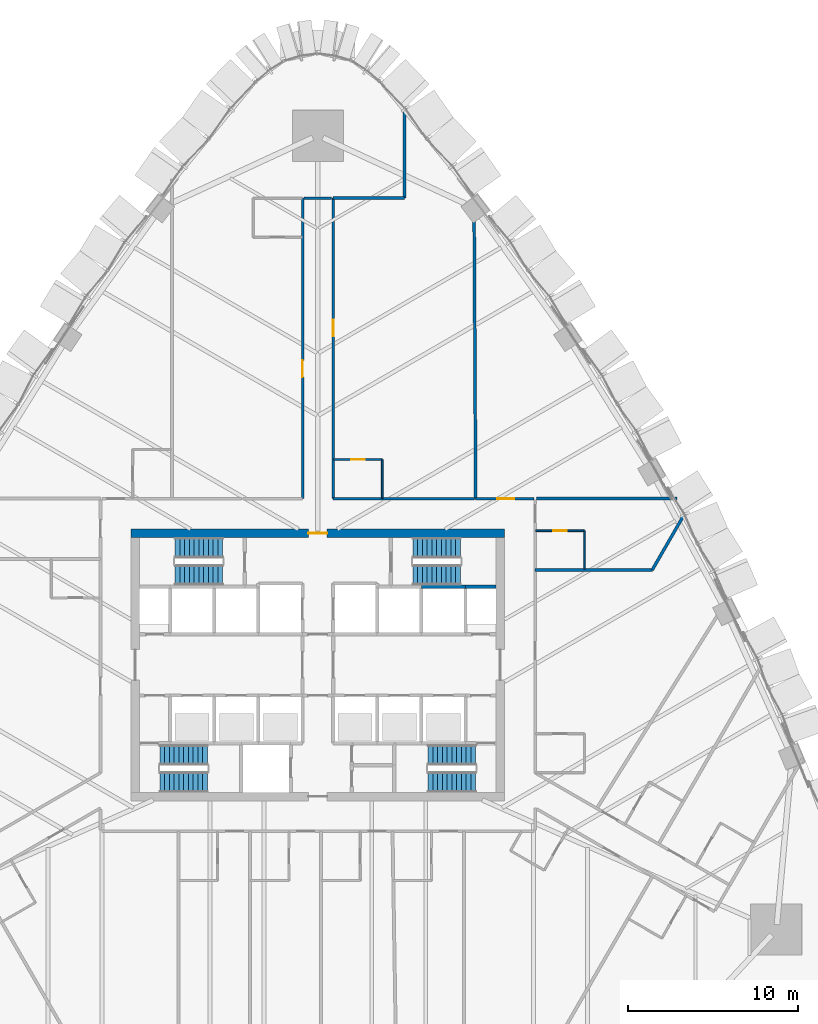
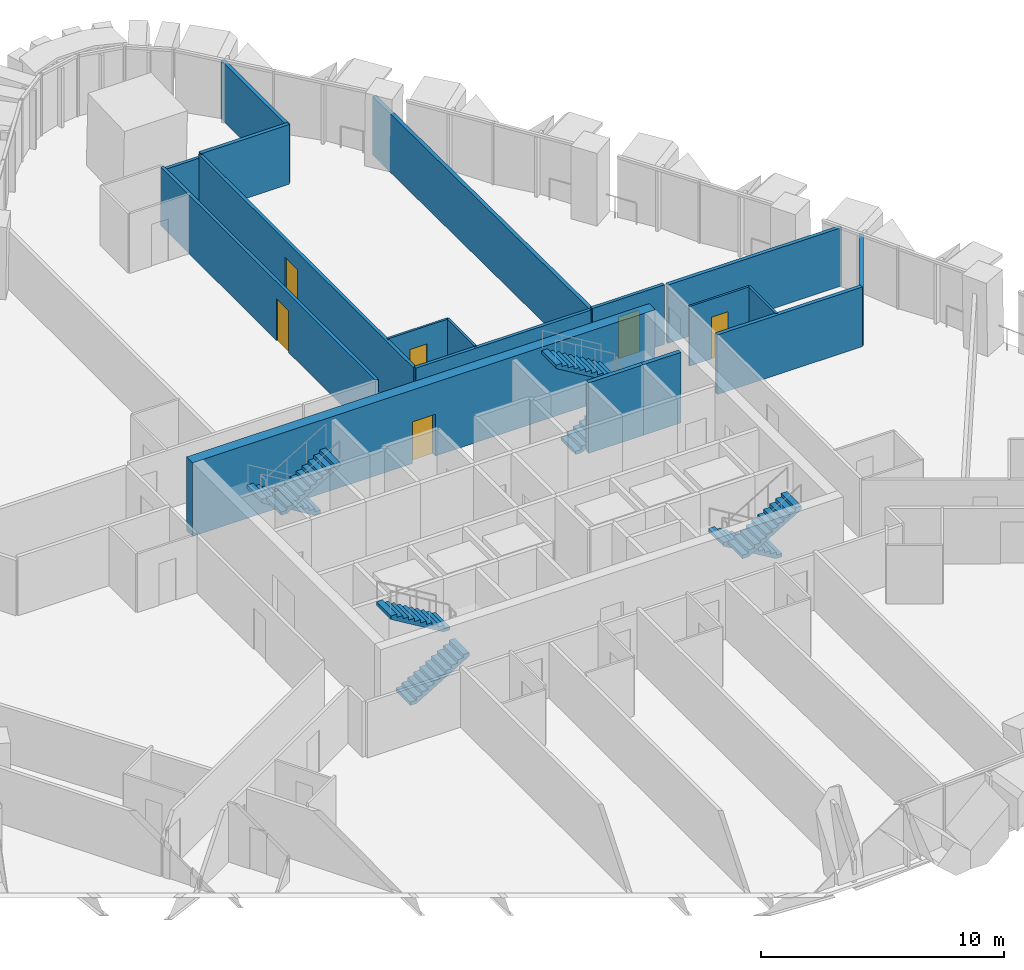
# One storey, part 19 of 24: 18 walls, 8 stair flights, 6 doors, 6 openings, 4 elements without a shape of their own.
"""IFC4 building model written with IfcOpenShell, lengths in metres."""

from ifc_helpers import new_model, si_unit, direction, frame, frame_2d, origin, place, context, subcontext, project, spatial, polyline, rectangle, outline, extrude, material, layer, layer_set, type_object, element, fill, aggregate, save


model = new_model("IFC4")

# Units and contexts
model_context = context("Model", 3, precision=1e-05, world=origin(), true_north=direction((0.0, 1.0)))
body_context = subcontext(model_context, "Body", "Model", "MODEL_VIEW")
ifc_project = project(units=[si_unit("LENGTHUNIT", "METRE"), si_unit("AREAUNIT", "SQUARE_METRE"), si_unit("VOLUMEUNIT", "CUBIC_METRE"), si_unit("PLANEANGLEUNIT", "RADIAN"), si_unit("MASSUNIT", "GRAM", prefix="KILO")], contexts=[model_context])

# Site, building, storey
site_placement = place(None, origin())
site = spatial("IfcSite", under=ifc_project, at=site_placement, CompositionType="ELEMENT")
building_placement = place(site_placement, origin())
building = spatial("IfcBuilding", under=site, at=building_placement, Name="Sierra Prisma Convention Tower", CompositionType="ELEMENT")
storey_placement = place(building_placement, frame((0.0, 0.0, 55.39990234375)))
storey = spatial("IfcBuildingStorey", under=building, at=storey_placement, Name="L09", CompositionType="ELEMENT", Elevation=55.39990234375)

# Wall, opening, door
ifc_material_1 = material(Name="Gypsum board partition", Category="gypsum")
ifc_layer_1 = layer(ifc_material_1, 0.10009765625)
ifc_layer_set_1 = layer_set([ifc_layer_1], Name="Bathroom partition 100")
wall_type_1 = type_object("IfcWallType", Name="Bathroom partition 100", PredefinedType="PARTITIONING", material=ifc_layer_set_1)
wall_1_placement = place(storey_placement, frame((0.929931640625, 12.10009765625, 0.0), z_axis=(0.0, 0.0, 1.0), x_axis=(1.0, 0.0, 0.0)))
wall_1 = element("IfcWall", 1, at=wall_1_placement, inside=storey, type_object=wall_type_1, Name="Partition L09 bath 21", PredefinedType="PARTITIONING", context=body_context, shape_type="SweptSolid", body=[
    extrude(rectangle(XDim=2.8701171875, YDim=0.10009765625, at=frame_2d((1.43505859375, 0.0))), origin(), (0.0, 0.0, 1.0), 3.0),
])
opening_1_placement = place(wall_1_placement, frame((1.034912109375, 0.0, 0.0)))
opening_1 = element("IfcOpeningElement", 2, at=opening_1_placement, cuts=wall_1, Name="Opening L09-D003", PredefinedType="OPENING", context=body_context, shape_type="SweptSolid", body=[
    extrude(rectangle(XDim=0.800048828125, YDim=2.10009765625, at=frame_2d((0.39990234375, 1.050048828125))), frame((0.0, 0.050048828125, 0.0), z_axis=(0.0, -1.0, 0.0), x_axis=(1.0, 0.0, 0.0)), (0.0, 0.0, 1.0), 0.10009765625),
])
ifc_material_2 = material(Name="Solid core timber door leaf", Category="wood")
door_type_1 = type_object("IfcDoorType", Name="Door 800x2100 plain", OperationType="SINGLE_SWING_LEFT", PredefinedType="DOOR", material=ifc_material_2)
door_1_placement = place(opening_1_placement, origin())
door_1 = element("IfcDoor", 3, at=door_1_placement, inside=storey, type_object=door_type_1, Name="Door L09 7", OperationType="SINGLE_SWING_LEFT", OverallHeight=2.10009765625, OverallWidth=0.800048828125, PredefinedType="DOOR", context=body_context, shape_type="SweptSolid", body=[
    extrude(rectangle(XDim=0.800048828125, YDim=2.10009765625, at=frame_2d((0.39990234375, 1.050048828125))), frame((0.0, 0.02490234375, 0.0), z_axis=(0.0, -1.0, 0.0), x_axis=(1.0, 0.0, 0.0)), (0.0, 0.0, 1.0), 0.050048828125),
])
fill(opening_1, door_1)

# Wall
wall_2_placement = place(storey_placement, frame((3.800048828125, 12.10009765625, 0.0), z_axis=(0.0, 0.0, 1.0), x_axis=(0.0, -1.0, 0.0)))
element("IfcWall", 4, at=wall_2_placement, inside=storey, type_object=wall_type_1, Name="Partition L09 bath 22", PredefinedType="PARTITIONING", context=body_context, shape_type="SweptSolid", body=[
    extrude(rectangle(XDim=2.27001953125, YDim=0.10009765625, at=frame_2d((1.135009765625, 0.0))), origin(), (0.0, 0.0, 1.0), 3.0),
])

# Wall, opening, door
wall_3_placement = place(storey_placement, frame((12.830078125, 7.89990234375, 0.0), z_axis=(0.0, 0.0, 1.0), x_axis=(1.0, 0.0, 0.0)))
wall_3 = element("IfcWall", 5, at=wall_3_placement, inside=storey, type_object=wall_type_1, Name="Partition L09 bath 31", PredefinedType="PARTITIONING", context=body_context, shape_type="SweptSolid", body=[
    extrude(rectangle(XDim=2.869873046875, YDim=0.10009765625, at=frame_2d((1.43505859375, 0.0))), origin(), (0.0, 0.0, 1.0), 3.0),
])
opening_2_placement = place(wall_3_placement, frame((1.034912109375, 0.0, 0.0)))
opening_2 = element("IfcOpeningElement", 6, at=opening_2_placement, cuts=wall_3, Name="Opening L09-D002", PredefinedType="OPENING", context=body_context, shape_type="SweptSolid", body=[
    extrude(rectangle(XDim=0.800048828125, YDim=2.10009765625, at=frame_2d((0.39990234375, 1.050048828125))), frame((0.0, 0.050048828125, 0.0), z_axis=(0.0, -1.0, 0.0), x_axis=(1.0, 0.0, 0.0)), (0.0, 0.0, 1.0), 0.10009765625),
])
door_2_placement = place(opening_2_placement, origin())
door_2 = element("IfcDoor", 7, at=door_2_placement, inside=storey, type_object=door_type_1, Name="Door L09 4", OperationType="SINGLE_SWING_LEFT", OverallHeight=2.10009765625, OverallWidth=0.800048828125, PredefinedType="DOOR", context=body_context, shape_type="SweptSolid", body=[
    extrude(rectangle(XDim=0.800048828125, YDim=2.10009765625, at=frame_2d((0.39990234375, 1.050048828125))), frame((0.0, 0.02490234375, 0.0), z_axis=(0.0, -1.0, 0.0), x_axis=(1.0, 0.0, 0.0)), (0.0, 0.0, 1.0), 0.050048828125),
])
fill(opening_2, door_2)

# Walls
wall_4_placement = place(storey_placement, frame((15.699951171875, 7.89990234375, 0.0), z_axis=(0.0, 0.0, 1.0), x_axis=(0.0, -1.0, 0.0)))
element("IfcWall", 8, at=wall_4_placement, inside=storey, type_object=wall_type_1, Name="Partition L09 bath 32", PredefinedType="PARTITIONING", context=body_context, shape_type="SweptSolid", body=[
    extrude(rectangle(XDim=2.27001953125, YDim=0.10009765625, at=frame_2d((1.135009765625, 0.0))), origin(), (0.0, 0.0, 1.0), 3.0),
])
ifc_material_3 = material(Name="Concrete C30/37", Category="concrete")
ifc_layer_2 = layer(ifc_material_3, 0.199951171875)
ifc_layer_set_2 = layer_set([ifc_layer_2], Name="Core wall RC 200 C30/37")
wall_type_2 = type_object("IfcWallType", Name="Core wall RC 200 C30/37", PredefinedType="SOLIDWALL", material=ifc_layer_set_2)
wall_5_placement = place(storey_placement, frame((8.699951171875, 4.60009765625, 0.0), z_axis=(0.0, 0.0, 1.0), x_axis=(-1.0, 0.0, 0.0)))
element("IfcWall", 9, at=wall_5_placement, inside=storey, type_object=wall_type_2, Name="Core wall L09 63", PredefinedType="SOLIDWALL", context=body_context, shape_type="SweptSolid", body=[
    extrude(rectangle(XDim=2.599853515625, YDim=0.199951171875, at=frame_2d((1.2998046875, 0.0))), origin(), (0.0, 0.0, 1.0), 3.550048828125),
])
wall_6_placement = place(storey_placement, frame((10.5, 4.60009765625, 0.0), z_axis=(0.0, 0.0, 1.0), x_axis=(-1.0, 0.0, 0.0)))
element("IfcWall", 10, at=wall_6_placement, inside=storey, type_object=wall_type_2, Name="Core wall L09 69", PredefinedType="SOLIDWALL", context=body_context, shape_type="SweptSolid", body=[
    extrude(rectangle(XDim=1.800048828125, YDim=0.199951171875, at=frame_2d((0.89990234375, 0.0))), origin(), (0.0, 0.0, 1.0), 3.550048828125),
])

# Wall, opening, door
ifc_material_4 = material(Name="Concrete C60/75", Category="concrete")
ifc_layer_3 = layer(ifc_material_4, 0.5)
ifc_layer_set_3 = layer_set([ifc_layer_3], Name="Core wall RC 500 C60/75")
wall_type_3 = type_object("IfcWallType", Name="Core wall RC 500 C60/75", PredefinedType="SHEAR", material=ifc_layer_set_3)
wall_7_placement = place(storey_placement, frame((-11.0, 7.75, 0.0), z_axis=(0.0, 0.0, 1.0), x_axis=(1.0, 0.0, 0.0)))
wall_7 = element("IfcWall", 11, at=wall_7_placement, inside=storey, type_object=wall_type_3, Name="Core wall N L09", PredefinedType="SHEAR", context=body_context, shape_type="SweptSolid", body=[
    extrude(rectangle(XDim=22.0, YDim=0.5, at=frame_2d((11.0, 0.0))), origin(), (0.0, 0.0, 1.0), 3.7001953125),
])
opening_3_placement = place(wall_7_placement, frame((10.449951171875, 0.0, 0.0)))
opening_3 = element("IfcOpeningElement", 12, at=opening_3_placement, cuts=wall_7, Name="Opening L09-D062", PredefinedType="OPENING", context=body_context, shape_type="SweptSolid", body=[
    extrude(rectangle(XDim=1.10009765625, YDim=2.10009765625, at=frame_2d((0.550048828125, 1.050048828125))), frame((0.0, 0.25, 0.0), z_axis=(0.0, -1.0, 0.0), x_axis=(1.0, 0.0, 0.0)), (0.0, 0.0, 1.0), 0.5),
])
ifc_material_5 = material(Name="Steel fire door leaf", Category="steel")
door_type_2 = type_object("IfcDoorType", Name="Door 1100x2100 FD60S", OperationType="SINGLE_SWING_LEFT", PredefinedType="DOOR", material=ifc_material_5)
door_3_placement = place(opening_3_placement, origin())
door_3 = element("IfcDoor", 13, at=door_3_placement, inside=storey, type_object=door_type_2, Name="Door L09 63", OperationType="SINGLE_SWING_RIGHT", OverallHeight=2.10009765625, OverallWidth=1.10009765625, PredefinedType="DOOR", context=body_context, shape_type="SweptSolid", body=[
    extrude(rectangle(XDim=1.10009765625, YDim=2.10009765625, at=frame_2d((0.550048828125, 1.050048828125))), frame((0.0, 0.02490234375, 0.0), z_axis=(0.0, -1.0, 0.0), x_axis=(1.0, 0.0, 0.0)), (0.0, 0.0, 1.0), 0.050048828125),
])
fill(opening_3, door_3)

ifc_material_6 = material(Name="Gypsum board partition", Category="gypsum")
ifc_layer_4 = layer(ifc_material_6, 0.14990234375)
ifc_layer_set_4 = layer_set([ifc_layer_4], Name="Corridor wall 150 gypsum EI 60")
wall_type_4 = type_object("IfcWallType", Name="Corridor wall 150 gypsum EI 60", PredefinedType="PARTITIONING", material=ifc_layer_set_4)
wall_8_placement = place(storey_placement, frame((-0.89990234375, 27.49462890625, 0.0), z_axis=(0.0, 0.0, 1.0), x_axis=(0.0, -1.0, 0.0)))
wall_8 = element("IfcWall", 14, at=wall_8_placement, inside=storey, type_object=wall_type_4, Name="Partition L09 corr 8", PredefinedType="PARTITIONING", context=body_context, shape_type="SweptSolid", body=[
    extrude(rectangle(XDim=17.694580078125, YDim=0.14990234375, at=frame_2d((8.84716796875, 0.0))), origin(), (0.0, 0.0, 1.0), 2.947021484375),
])
opening_4_placement = place(wall_8_placement, frame((9.54736328125, 0.0, 0.0)))
opening_4 = element("IfcOpeningElement", 15, at=opening_4_placement, cuts=wall_8, Name="Opening L09-D045", PredefinedType="OPENING", context=body_context, shape_type="SweptSolid", body=[
    extrude(rectangle(XDim=1.0, YDim=2.10009765625, at=frame_2d((0.5, 1.050048828125))), frame((0.0, 0.074951171875, 0.0), z_axis=(0.0, -1.0, 0.0), x_axis=(1.0, 0.0, 0.0)), (0.0, 0.0, 1.0), 0.14990234375),
])
ifc_material_7 = material(Name="Steel fire door leaf", Category="steel")
door_type_3 = type_object("IfcDoorType", Name="Door 1000x2100 FD30S", OperationType="SINGLE_SWING_LEFT", PredefinedType="DOOR", material=ifc_material_7)
door_4_placement = place(opening_4_placement, origin())
door_4 = element("IfcDoor", 16, at=door_4_placement, inside=storey, type_object=door_type_3, Name="Door L09 8", OperationType="SINGLE_SWING_LEFT", OverallHeight=2.10009765625, OverallWidth=1.0, PredefinedType="DOOR", context=body_context, shape_type="SweptSolid", body=[
    extrude(rectangle(XDim=1.0, YDim=2.10009765625, at=frame_2d((0.5, 1.050048828125))), frame((0.0, 0.02490234375, 0.0), z_axis=(0.0, -1.0, 0.0), x_axis=(1.0, 0.0, 0.0)), (0.0, 0.0, 1.0), 0.050048828125),
])
fill(opening_4, door_4)

# Walls
wall_9_placement = place(storey_placement, frame((0.820068359375, 27.49462890625, 0.0), z_axis=(0.0, 0.0, 1.0), x_axis=(-1.0, 0.0, 0.0)))
element("IfcWall", 17, at=wall_9_placement, inside=storey, type_object=wall_type_4, Name="Partition L09 corr 10", PredefinedType="PARTITIONING", context=body_context, shape_type="SweptSolid", body=[
    extrude(rectangle(XDim=1.64013671875, YDim=0.14990234375, at=frame_2d((0.820068359375, 0.0))), origin(), (0.0, 0.0, 1.0), 2.797119140625),
])
wall_10_placement = place(storey_placement, frame((9.219970703125, 9.800048828125, 0.0), z_axis=(0.0, 0.0, 1.0), x_axis=(-1.0, 0.0, 0.0)))
element("IfcWall", 18, at=wall_10_placement, inside=storey, type_object=wall_type_4, Name="Partition L09 corr 11", PredefinedType="PARTITIONING", context=body_context, shape_type="SweptSolid", body=[
    extrude(rectangle(XDim=8.320068359375, YDim=0.14990234375, at=frame_2d((4.16015625, 0.0))), origin(), (0.0, 0.0, 1.0), 2.947021484375),
])

# Wall, opening, door
wall_11_placement = place(storey_placement, frame((0.89990234375, 9.800048828125, 0.0), z_axis=(0.0, 0.0, 1.0), x_axis=(0.0, 1.0, 0.0)))
wall_11 = element("IfcWall", 19, at=wall_11_placement, inside=storey, type_object=wall_type_4, Name="Partition L09 corr 12", PredefinedType="PARTITIONING", context=body_context, shape_type="SweptSolid", body=[
    extrude(rectangle(XDim=17.694580078125, YDim=0.14990234375, at=frame_2d((8.84716796875, 0.0))), origin(), (0.0, 0.0, 1.0), 2.947021484375),
])
opening_5_placement = place(wall_11_placement, frame((9.54736328125, 0.0, 0.0)))
opening_5 = element("IfcOpeningElement", 20, at=opening_5_placement, cuts=wall_11, Name="Opening L09-D044", PredefinedType="OPENING", context=body_context, shape_type="SweptSolid", body=[
    extrude(rectangle(XDim=1.0, YDim=2.10009765625, at=frame_2d((0.5, 1.050048828125))), frame((0.0, 0.074951171875, 0.0), z_axis=(0.0, -1.0, 0.0), x_axis=(1.0, 0.0, 0.0)), (0.0, 0.0, 1.0), 0.14990234375),
])
door_5_placement = place(opening_5_placement, origin())
door_5 = element("IfcDoor", 21, at=door_5_placement, inside=storey, type_object=door_type_3, Name="Door L09 6", OperationType="SINGLE_SWING_RIGHT", OverallHeight=2.10009765625, OverallWidth=1.0, PredefinedType="DOOR", context=body_context, shape_type="SweptSolid", body=[
    extrude(rectangle(XDim=1.0, YDim=2.10009765625, at=frame_2d((0.5, 1.050048828125))), frame((0.0, 0.02490234375, 0.0), z_axis=(0.0, -1.0, 0.0), x_axis=(1.0, 0.0, 0.0)), (0.0, 0.0, 1.0), 0.050048828125),
])
fill(opening_5, door_5)

wall_12_placement = place(storey_placement, frame((12.719970703125, 9.800048828125, 0.0), z_axis=(0.0, 0.0, 1.0), x_axis=(-1.0, 0.0, 0.0)))
wall_12 = element("IfcWall", 22, at=wall_12_placement, inside=storey, type_object=wall_type_4, Name="Partition L09 corr 13", PredefinedType="PARTITIONING", context=body_context, shape_type="SweptSolid", body=[
    extrude(rectangle(XDim=3.419921875, YDim=0.14990234375, at=frame_2d((1.7099609375, 0.0))), origin(), (0.0, 0.0, 1.0), 3.0),
])
opening_6_placement = place(wall_12_placement, frame((1.159912109375, 0.0, 0.0)))
opening_6 = element("IfcOpeningElement", 23, at=opening_6_placement, cuts=wall_12, Name="Opening L09-D043", PredefinedType="OPENING", context=body_context, shape_type="SweptSolid", body=[
    extrude(rectangle(XDim=1.0, YDim=2.10009765625, at=frame_2d((0.5, 1.050048828125))), frame((0.0, 0.074951171875, 0.0), z_axis=(0.0, -1.0, 0.0), x_axis=(1.0, 0.0, 0.0)), (0.0, 0.0, 1.0), 0.14990234375),
])
door_6_placement = place(opening_6_placement, origin())
door_6 = element("IfcDoor", 24, at=door_6_placement, inside=storey, type_object=door_type_3, Name="Door L09 5", OperationType="SINGLE_SWING_LEFT", OverallHeight=2.10009765625, OverallWidth=1.0, PredefinedType="DOOR", context=body_context, shape_type="SweptSolid", body=[
    extrude(rectangle(XDim=1.0, YDim=2.10009765625, at=frame_2d((0.5, 1.050048828125))), frame((0.0, 0.02490234375, 0.0), z_axis=(0.0, -1.0, 0.0), x_axis=(1.0, 0.0, 0.0)), (0.0, 0.0, 1.0), 0.050048828125),
])
fill(opening_6, door_6)

# Walls
ifc_material_8 = material(Name="Acoustic gypsum board partition", Category="gypsum")
ifc_layer_5 = layer(ifc_material_8, 0.175048828125)
ifc_layer_set_5 = layer_set([ifc_layer_5], Name="Guest room party wall 175 acoustic EI 60")
wall_type_5 = type_object("IfcWallType", Name="Guest room party wall 175 acoustic EI 60", PredefinedType="PARTITIONING", material=ifc_layer_set_5)
wall_13_placement = place(storey_placement, frame((0.89990234375, 27.49462890625, 0.0), z_axis=(0.0, 0.0, 1.0), x_axis=(1.0, 0.0, 0.0)))
element("IfcWall", 25, at=wall_13_placement, inside=storey, type_object=wall_type_5, Name="Partition L09 hparty 13", PredefinedType="PARTITIONING", context=body_context, shape_type="SweptSolid", body=[
    extrude(rectangle(XDim=4.2001953125, YDim=0.175048828125, at=frame_2d((2.10009765625, 0.0))), origin(), (0.0, 0.0, 1.0), 3.0),
])
wall_14_placement = place(storey_placement, frame((5.10009765625, 27.49462890625, 0.0), z_axis=(0.0, 0.0, 1.0), x_axis=(0.0, 1.0, 0.0)))
element("IfcWall", 26, at=wall_14_placement, inside=storey, type_object=wall_type_5, Name="Partition L09 hparty 14", PredefinedType="PARTITIONING", context=body_context, shape_type="SweptSolid", body=[
    extrude(rectangle(XDim=5.395751953125, YDim=0.175048828125, at=frame_2d((2.69775390625, 0.0))), origin(), (0.0, 0.0, 1.0), 2.93408203125),
])
wall_15_placement = place(storey_placement, frame((9.202880859375, 27.505126953125, 0.0), z_axis=(0.0, 0.0, 1.0), x_axis=(0.005488058554, -0.999984940493, 0.0)))
element("IfcWall", 27, at=wall_15_placement, inside=storey, type_object=wall_type_5, Name="Partition L09 hparty 17", PredefinedType="PARTITIONING", context=body_context, shape_type="SweptSolid", body=[
    extrude(rectangle(XDim=17.705322265625, YDim=0.175048828125, at=frame_2d((8.8525390625, 0.0))), origin(), (0.0, 0.0, 1.0), 2.947021484375),
])
wall_16_placement = place(storey_placement, frame((12.800048828125, 5.60009765625, 0.0), z_axis=(0.0, 0.0, 1.0), x_axis=(1.0, 0.0, 0.0)))
element("IfcWall", 28, at=wall_16_placement, inside=storey, type_object=wall_type_5, Name="Partition L09 hparty 20", PredefinedType="PARTITIONING", context=body_context, shape_type="SweptSolid", body=[
    extrude(rectangle(XDim=6.899658203125, YDim=0.175048828125, at=frame_2d((3.44970703125, 0.0))), origin(), (0.0, 0.0, 1.0), 3.0),
])
wall_17_placement = place(storey_placement, frame((19.69970703125, 5.60009765625, 0.0), z_axis=(0.0, 0.0, 1.0), x_axis=(0.500059696094, 0.865990935485, 0.0)))
element("IfcWall", 29, at=wall_17_placement, inside=storey, type_object=wall_type_5, Name="Partition L09 hparty 21", PredefinedType="PARTITIONING", context=body_context, shape_type="SweptSolid", body=[
    extrude(rectangle(XDim=3.8642578125, YDim=0.175048828125, at=frame_2d((1.93212890625, 0.0))), origin(), (0.0, 0.0, 1.0), 2.93408203125),
])
wall_18_placement = place(storey_placement, frame((12.8798828125, 9.800048828125, 0.0), z_axis=(0.0, 0.0, 1.0), x_axis=(1.0, 0.0, 0.0)))
element("IfcWall", 30, at=wall_18_placement, inside=storey, type_object=wall_type_5, Name="Partition L09 hparty 22", PredefinedType="PARTITIONING", context=body_context, shape_type="SweptSolid", body=[
    extrude(rectangle(XDim=8.280029296875, YDim=0.175048828125, at=frame_2d((4.14013671875, 0.0))), origin(), (0.0, 0.0, 1.0), 2.93408203125),
])

# Stair, stair flights
ifc_material_9 = material(Name="Concrete C30/37", Category="concrete")
stair_type = type_object("IfcStairType", Name="Stair dog-leg 1200 RC", PredefinedType="HALF_TURN_STAIR", material=ifc_material_9)
stair_1_placement = place(storey_placement, origin())
stair_1 = element("IfcStair", 31, at=stair_1_placement, inside=storey, type_object=stair_type, Name="L09 S1", PredefinedType="HALF_TURN_STAIR")
ifc_material_10 = material(Name="Concrete C30/37", Category="concrete")
stair_flight_type = type_object("IfcStairFlightType", Name="Stair flight RC 1200", PredefinedType="STRAIGHT", material=ifc_material_10)
stair_flight_1_placement = place(storey_placement, frame((-9.300048828125, -6.89990234375, 0.0), z_axis=(0.0, 0.0, 1.0), x_axis=(1.0, 0.0, 0.0)))
stair_flight_1 = element("IfcStairFlight", 32, at=stair_flight_1_placement, type_object=stair_flight_type, Name="S1 flight 1", NumberOfRisers=11, NumberOfTreads=10, PredefinedType="STRAIGHT", RiserHeight=0.168181818, TreadLength=0.28, context=body_context, shape_type="SweptSolid", body=[
    extrude(outline(polyline([(0.0, 0.0), (0.0, 0.168212890625), (0.280029296875, 0.168212890625), (0.280029296875, 0.33642578125), (0.56005859375, 0.33642578125), (0.56005859375, 0.504638671875), (0.840087890625, 0.504638671875), (0.840087890625, 0.672607421875), (1.1201171875, 0.672607421875), (1.1201171875, 0.8408203125), (1.39990234375, 0.8408203125), (1.39990234375, 1.009033203125), (1.679931640625, 1.009033203125), (1.679931640625, 1.17724609375), (1.9599609375, 1.17724609375), (1.9599609375, 1.345458984375), (2.239990234375, 1.345458984375), (2.239990234375, 1.513671875), (2.52001953125, 1.513671875), (2.52001953125, 1.681884765625), (2.800048828125, 1.681884765625), (2.800048828125, 1.85009765625), (2.800048828125, 1.5068359375), (0.291015625, 0.0), (0.0, 0.0)])), frame((0.0, 0.60009765625, 0.0), z_axis=(0.0, -1.0, 0.0), x_axis=(1.0, 0.0, 0.0)), (0.0, 0.0, 1.0), 1.199951171875),
])
stair_flight_2_placement = place(storey_placement, frame((-6.5, -5.300048828125, 1.85009765625), z_axis=(0.0, 0.0, 1.0), x_axis=(-1.0, 0.0, 0.0)))
stair_flight_2 = element("IfcStairFlight", 33, at=stair_flight_2_placement, type_object=stair_flight_type, Name="S1 flight 2", NumberOfRisers=11, NumberOfTreads=10, PredefinedType="STRAIGHT", RiserHeight=0.168181818, TreadLength=0.28, context=body_context, shape_type="SweptSolid", body=[
    extrude(outline(polyline([(0.0, 0.0), (0.0, 0.168212890625), (0.280029296875, 0.168212890625), (0.280029296875, 0.33642578125), (0.56005859375, 0.33642578125), (0.56005859375, 0.504638671875), (0.840087890625, 0.504638671875), (0.840087890625, 0.672607421875), (1.1201171875, 0.672607421875), (1.1201171875, 0.8408203125), (1.39990234375, 0.8408203125), (1.39990234375, 1.009033203125), (1.679931640625, 1.009033203125), (1.679931640625, 1.17724609375), (1.9599609375, 1.17724609375), (1.9599609375, 1.345458984375), (2.239990234375, 1.345458984375), (2.239990234375, 1.513671875), (2.52001953125, 1.513671875), (2.52001953125, 1.681884765625), (2.800048828125, 1.681884765625), (2.800048828125, 1.85009765625), (2.800048828125, 1.5068359375), (0.291015625, 0.0), (0.0, 0.0)])), frame((0.0, 0.60009765625, 0.0), z_axis=(0.0, -1.0, 0.0), x_axis=(1.0, 0.0, 0.0)), (0.0, 0.0, 1.0), 1.199951171875),
])
aggregate(stair_1, [stair_flight_1, stair_flight_2])

stair_2_placement = place(storey_placement, origin())
stair_2 = element("IfcStair", 34, at=stair_2_placement, inside=storey, type_object=stair_type, Name="L09 S2", PredefinedType="HALF_TURN_STAIR")
stair_flight_3_placement = place(storey_placement, frame((9.300048828125, -5.300048828125, 0.0), z_axis=(0.0, 0.0, 1.0), x_axis=(-1.0, 0.0, 0.0)))
stair_flight_3 = element("IfcStairFlight", 35, at=stair_flight_3_placement, type_object=stair_flight_type, Name="S2 flight 1", NumberOfRisers=11, NumberOfTreads=10, PredefinedType="STRAIGHT", RiserHeight=0.168181818, TreadLength=0.28, context=body_context, shape_type="SweptSolid", body=[
    extrude(outline(polyline([(0.0, 0.0), (0.0, 0.168212890625), (0.280029296875, 0.168212890625), (0.280029296875, 0.33642578125), (0.56005859375, 0.33642578125), (0.56005859375, 0.504638671875), (0.840087890625, 0.504638671875), (0.840087890625, 0.672607421875), (1.1201171875, 0.672607421875), (1.1201171875, 0.8408203125), (1.39990234375, 0.8408203125), (1.39990234375, 1.009033203125), (1.679931640625, 1.009033203125), (1.679931640625, 1.17724609375), (1.9599609375, 1.17724609375), (1.9599609375, 1.345458984375), (2.239990234375, 1.345458984375), (2.239990234375, 1.513671875), (2.52001953125, 1.513671875), (2.52001953125, 1.681884765625), (2.800048828125, 1.681884765625), (2.800048828125, 1.85009765625), (2.800048828125, 1.5068359375), (0.291015625, 0.0), (0.0, 0.0)])), frame((0.0, 0.60009765625, 0.0), z_axis=(0.0, -1.0, 0.0), x_axis=(1.0, 0.0, 0.0)), (0.0, 0.0, 1.0), 1.199951171875),
])
stair_flight_4_placement = place(storey_placement, frame((6.5, -6.89990234375, 1.85009765625), z_axis=(0.0, 0.0, 1.0), x_axis=(1.0, 0.0, 0.0)))
stair_flight_4 = element("IfcStairFlight", 36, at=stair_flight_4_placement, type_object=stair_flight_type, Name="S2 flight 2", NumberOfRisers=11, NumberOfTreads=10, PredefinedType="STRAIGHT", RiserHeight=0.168181818, TreadLength=0.28, context=body_context, shape_type="SweptSolid", body=[
    extrude(outline(polyline([(0.0, 0.0), (0.0, 0.168212890625), (0.280029296875, 0.168212890625), (0.280029296875, 0.33642578125), (0.56005859375, 0.33642578125), (0.56005859375, 0.504638671875), (0.840087890625, 0.504638671875), (0.840087890625, 0.672607421875), (1.1201171875, 0.672607421875), (1.1201171875, 0.8408203125), (1.39990234375, 0.8408203125), (1.39990234375, 1.009033203125), (1.679931640625, 1.009033203125), (1.679931640625, 1.17724609375), (1.9599609375, 1.17724609375), (1.9599609375, 1.345458984375), (2.239990234375, 1.345458984375), (2.239990234375, 1.513671875), (2.52001953125, 1.513671875), (2.52001953125, 1.681884765625), (2.800048828125, 1.681884765625), (2.800048828125, 1.85009765625), (2.800048828125, 1.5068359375), (0.291015625, 0.0), (0.0, 0.0)])), frame((0.0, 0.60009765625, 0.0), z_axis=(0.0, -1.0, 0.0), x_axis=(1.0, 0.0, 0.0)), (0.0, 0.0, 1.0), 1.199951171875),
])
aggregate(stair_2, [stair_flight_3, stair_flight_4])

stair_3_placement = place(storey_placement, origin())
stair_3 = element("IfcStair", 37, at=stair_3_placement, inside=storey, type_object=stair_type, Name="L09 S3", PredefinedType="HALF_TURN_STAIR")
stair_flight_5_placement = place(storey_placement, frame((-5.60009765625, 6.89990234375, 0.0), z_axis=(0.0, 0.0, 1.0), x_axis=(-1.0, 0.0, 0.0)))
stair_flight_5 = element("IfcStairFlight", 38, at=stair_flight_5_placement, type_object=stair_flight_type, Name="S3 flight 1", NumberOfRisers=11, NumberOfTreads=10, PredefinedType="STRAIGHT", RiserHeight=0.168181818, TreadLength=0.28, context=body_context, shape_type="SweptSolid", body=[
    extrude(outline(polyline([(0.0, 0.0), (0.0, 0.168212890625), (0.280029296875, 0.168212890625), (0.280029296875, 0.33642578125), (0.56005859375, 0.33642578125), (0.56005859375, 0.504638671875), (0.840087890625, 0.504638671875), (0.840087890625, 0.672607421875), (1.1201171875, 0.672607421875), (1.1201171875, 0.8408203125), (1.39990234375, 0.8408203125), (1.39990234375, 1.009033203125), (1.679931640625, 1.009033203125), (1.679931640625, 1.17724609375), (1.9599609375, 1.17724609375), (1.9599609375, 1.345458984375), (2.239990234375, 1.345458984375), (2.239990234375, 1.513671875), (2.52001953125, 1.513671875), (2.52001953125, 1.681884765625), (2.800048828125, 1.681884765625), (2.800048828125, 1.85009765625), (2.800048828125, 1.5068359375), (0.291015625, 0.0), (0.0, 0.0)])), frame((0.0, 0.60009765625, 0.0), z_axis=(0.0, -1.0, 0.0), x_axis=(1.0, 0.0, 0.0)), (0.0, 0.0, 1.0), 1.199951171875),
])
stair_flight_6_placement = place(storey_placement, frame((-8.39990234375, 5.300048828125, 1.85009765625), z_axis=(0.0, 0.0, 1.0), x_axis=(1.0, 0.0, 0.0)))
stair_flight_6 = element("IfcStairFlight", 39, at=stair_flight_6_placement, type_object=stair_flight_type, Name="S3 flight 2", NumberOfRisers=11, NumberOfTreads=10, PredefinedType="STRAIGHT", RiserHeight=0.168181818, TreadLength=0.28, context=body_context, shape_type="SweptSolid", body=[
    extrude(outline(polyline([(0.0, 0.0), (0.0, 0.168212890625), (0.280029296875, 0.168212890625), (0.280029296875, 0.33642578125), (0.56005859375, 0.33642578125), (0.56005859375, 0.504638671875), (0.840087890625, 0.504638671875), (0.840087890625, 0.672607421875), (1.1201171875, 0.672607421875), (1.1201171875, 0.8408203125), (1.39990234375, 0.8408203125), (1.39990234375, 1.009033203125), (1.679931640625, 1.009033203125), (1.679931640625, 1.17724609375), (1.9599609375, 1.17724609375), (1.9599609375, 1.345458984375), (2.239990234375, 1.345458984375), (2.239990234375, 1.513671875), (2.52001953125, 1.513671875), (2.52001953125, 1.681884765625), (2.800048828125, 1.681884765625), (2.800048828125, 1.85009765625), (2.800048828125, 1.5068359375), (0.291015625, 0.0), (0.0, 0.0)])), frame((0.0, 0.60009765625, 0.0), z_axis=(0.0, -1.0, 0.0), x_axis=(1.0, 0.0, 0.0)), (0.0, 0.0, 1.0), 1.199951171875),
])
aggregate(stair_3, [stair_flight_5, stair_flight_6])

stair_4_placement = place(storey_placement, origin())
stair_4 = element("IfcStair", 40, at=stair_4_placement, inside=storey, type_object=stair_type, Name="L09 S4", PredefinedType="HALF_TURN_STAIR")
stair_flight_7_placement = place(storey_placement, frame((5.60009765625, 5.300048828125, 0.0), z_axis=(0.0, 0.0, 1.0), x_axis=(1.0, 0.0, 0.0)))
stair_flight_7 = element("IfcStairFlight", 41, at=stair_flight_7_placement, type_object=stair_flight_type, Name="S4 flight 1", NumberOfRisers=11, NumberOfTreads=10, PredefinedType="STRAIGHT", RiserHeight=0.168181818, TreadLength=0.28, context=body_context, shape_type="SweptSolid", body=[
    extrude(outline(polyline([(0.0, 0.0), (0.0, 0.168212890625), (0.280029296875, 0.168212890625), (0.280029296875, 0.33642578125), (0.56005859375, 0.33642578125), (0.56005859375, 0.504638671875), (0.840087890625, 0.504638671875), (0.840087890625, 0.672607421875), (1.1201171875, 0.672607421875), (1.1201171875, 0.8408203125), (1.39990234375, 0.8408203125), (1.39990234375, 1.009033203125), (1.679931640625, 1.009033203125), (1.679931640625, 1.17724609375), (1.9599609375, 1.17724609375), (1.9599609375, 1.345458984375), (2.239990234375, 1.345458984375), (2.239990234375, 1.513671875), (2.52001953125, 1.513671875), (2.52001953125, 1.681884765625), (2.800048828125, 1.681884765625), (2.800048828125, 1.85009765625), (2.800048828125, 1.5068359375), (0.291015625, 0.0), (0.0, 0.0)])), frame((0.0, 0.60009765625, 0.0), z_axis=(0.0, -1.0, 0.0), x_axis=(1.0, 0.0, 0.0)), (0.0, 0.0, 1.0), 1.199951171875),
])
stair_flight_8_placement = place(storey_placement, frame((8.39990234375, 6.89990234375, 1.85009765625), z_axis=(0.0, 0.0, 1.0), x_axis=(-1.0, 0.0, 0.0)))
stair_flight_8 = element("IfcStairFlight", 42, at=stair_flight_8_placement, type_object=stair_flight_type, Name="S4 flight 2", NumberOfRisers=11, NumberOfTreads=10, PredefinedType="STRAIGHT", RiserHeight=0.168181818, TreadLength=0.28, context=body_context, shape_type="SweptSolid", body=[
    extrude(outline(polyline([(0.0, 0.0), (0.0, 0.168212890625), (0.280029296875, 0.168212890625), (0.280029296875, 0.33642578125), (0.56005859375, 0.33642578125), (0.56005859375, 0.504638671875), (0.840087890625, 0.504638671875), (0.840087890625, 0.672607421875), (1.1201171875, 0.672607421875), (1.1201171875, 0.8408203125), (1.39990234375, 0.8408203125), (1.39990234375, 1.009033203125), (1.679931640625, 1.009033203125), (1.679931640625, 1.17724609375), (1.9599609375, 1.17724609375), (1.9599609375, 1.345458984375), (2.239990234375, 1.345458984375), (2.239990234375, 1.513671875), (2.52001953125, 1.513671875), (2.52001953125, 1.681884765625), (2.800048828125, 1.681884765625), (2.800048828125, 1.85009765625), (2.800048828125, 1.5068359375), (0.291015625, 0.0), (0.0, 0.0)])), frame((0.0, 0.60009765625, 0.0), z_axis=(0.0, -1.0, 0.0), x_axis=(1.0, 0.0, 0.0)), (0.0, 0.0, 1.0), 1.199951171875),
])
aggregate(stair_4, [stair_flight_7, stair_flight_8])

save(model, "model.ifc")
